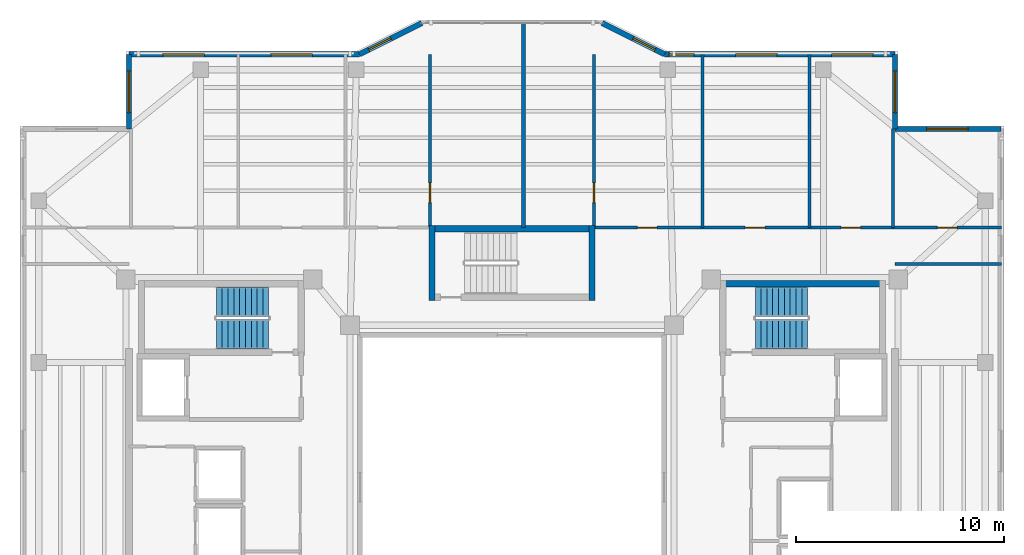
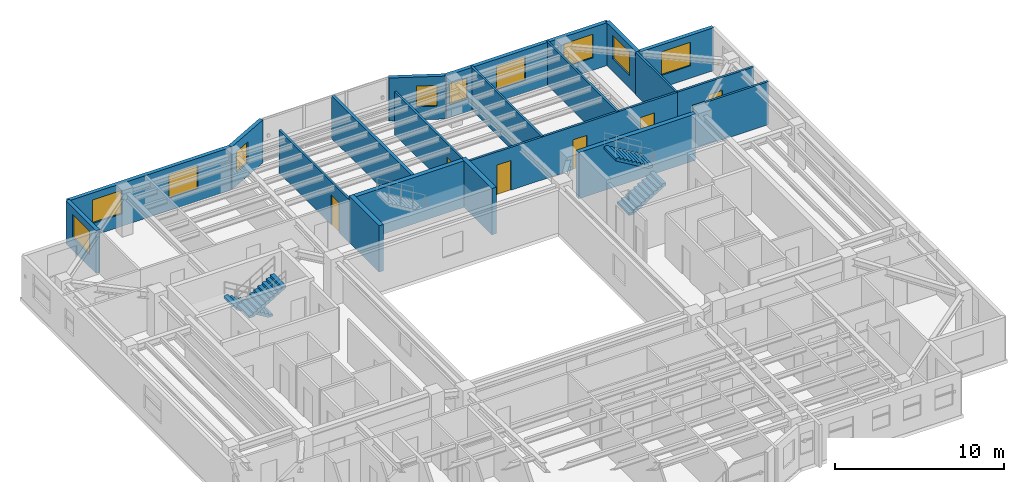
# One storey, part 10 of 14: 20 walls, 10 windows, 6 doors, 4 stair flights, 16 openings, 2 elements without a shape of their own.
"""IFC4 building model written with IfcOpenShell, lengths in metres."""

from ifc_helpers import new_model, si_unit, direction, frame, frame_2d, origin, place, context, subcontext, project, spatial, polyline, rectangle, outline, extrude, material, layer, layer_set, type_object, element, fill, aggregate, save


model = new_model("IFC4")

# Units and contexts
model_context = context("Model", 3, precision=1e-05, world=origin(), true_north=direction((0.0, 1.0)))
body_context = subcontext(model_context, "Body", "Model", "MODEL_VIEW")
ifc_project = project(units=[si_unit("LENGTHUNIT", "METRE"), si_unit("AREAUNIT", "SQUARE_METRE"), si_unit("VOLUMEUNIT", "CUBIC_METRE"), si_unit("PLANEANGLEUNIT", "RADIAN"), si_unit("MASSUNIT", "GRAM", prefix="KILO")], contexts=[model_context])

# Site, building, storey
site_placement = place(None, origin())
site = spatial("IfcSite", under=ifc_project, at=site_placement, CompositionType="ELEMENT")
building_placement = place(site_placement, origin())
building = spatial("IfcBuilding", under=site, at=building_placement, Name="Tarnavaz Court Tower", CompositionType="ELEMENT")
storey_placement = place(building_placement, frame((0.0, 0.0, 190.25)))
storey = spatial("IfcBuildingStorey", under=building, at=storey_placement, Name="L51", CompositionType="ELEMENT", Elevation=190.25)

# Walls
ifc_material_1 = material(Name="Concrete C50/60", Category="concrete")
ifc_layer_1 = layer(ifc_material_1, 0.300048828125)
ifc_layer_set_1 = layer_set([ifc_layer_1], Name="Concrete C50/60")
wall_type_1 = type_object("IfcWallType", Name="WL-CORE-300-C50", PredefinedType="SHEAR", material=ifc_layer_set_1)
for number, where, z_axis, x_axis, name in (
    (1, (10.0, 9.7900390625, 0.0), (0.0, 0.0, 1.0), (1.0, 0.0, 0.0), "L51 East Stair Core Wall 005"),
    (2, (-4.0, 12.43994140625, 0.0), (0.0, 0.0, 1.0), (1.0, 0.0, 0.0), "L51 North Stair Core Wall 009"),
):
    element("IfcWall", number, at=place(storey_placement, frame(where, z_axis=z_axis, x_axis=x_axis)), inside=storey, type_object=wall_type_1, Name=name, PredefinedType="SHEAR", context=body_context, shape_type="SweptSolid", body=[
        extrude(rectangle(XDim=8.0, YDim=0.300048828125, at=frame_2d((4.0, 0.0))), origin(), (0.0, 0.0, 1.0), 3.35009765625),
    ])
for number, where, z_axis, x_axis, name in (
    (3, (-3.85009765625, 9.0, 0.0), (0.0, 0.0, 1.0), (0.0, 1.0, 0.0), "L51 North Stair Core Wall 011"),
    (4, (3.85009765625, 9.0, 0.0), (0.0, 0.0, 1.0), (0.0, 1.0, 0.0), "L51 North Stair Core Wall 012"),
):
    element("IfcWall", number, at=place(storey_placement, frame(where, z_axis=z_axis, x_axis=x_axis)), inside=storey, type_object=wall_type_1, Name=name, PredefinedType="SHEAR", context=body_context, shape_type="SweptSolid", body=[
        extrude(rectangle(XDim=3.590087890625, YDim=0.300048828125, at=frame_2d((1.794921875, 0.0))), origin(), (0.0, 0.0, 1.0), 3.35009765625),
    ])

# Wall, opening, window
ifc_material_2 = material(Name="Precast Concrete C40/50", Category="concrete")
ifc_layer_2 = layer(ifc_material_2, 0.260009765625)
ifc_layer_set_2 = layer_set([ifc_layer_2], Name="Precast Concrete C40/50")
wall_type_2 = type_object("IfcWallType", Name="WL-EXT-260", PredefinedType="SOLIDWALL", material=ifc_layer_set_2)
wall_1_placement = place(storey_placement, frame((-18.449951171875, 17.25, 0.0), z_axis=(0.0, 0.0, 1.0), x_axis=(0.0, 1.0, 0.0)))
wall_1 = element("IfcWall", 5, at=wall_1_placement, inside=storey, type_object=wall_type_2, Name="L51 Exterior Terracotta Facade Wall 04", PredefinedType="SOLIDWALL", context=body_context, shape_type="SweptSolid", body=[
    extrude(rectangle(XDim=3.60009765625, YDim=0.260009765625, at=frame_2d((1.800048828125, 0.0))), origin(), (0.0, 0.0, 1.0), 3.10009765625),
])
opening_1_placement = place(wall_1_placement, frame((0.782470703125, 0.0, 0.89990234375)))
opening_1 = element("IfcOpeningElement", 6, at=opening_1_placement, cuts=wall_1, Name="Opening W08", PredefinedType="OPENING", context=body_context, shape_type="SweptSolid", body=[
    extrude(rectangle(XDim=2.0, YDim=1.699951171875, at=frame_2d((1.0, 0.85009765625))), frame((0.0, 0.139892578125, 0.0), z_axis=(0.0, -1.0, 0.0), x_axis=(1.0, 0.0, 0.0)), (0.0, 0.0, 1.0), 0.280029296875),
])
ifc_material_3 = material(Name="Double-Glazed Solar Low-E Glass", Category="glass")
window_type_1 = type_object("IfcWindowType", Name="WN-APT-2000", PartitioningType="DOUBLE_PANEL_VERTICAL", PredefinedType="WINDOW", material=ifc_material_3)
window_1_placement = place(opening_1_placement, origin())
window_1 = element("IfcWindow", 7, at=window_1_placement, inside=storey, type_object=window_type_1, Name="L51 Resident Fitness and Yoga Studio Window", OverallHeight=1.699951171875, OverallWidth=2.0, PartitioningType="SINGLE_PANEL", PredefinedType="WINDOW", context=body_context, shape_type="SweptSolid", body=[
    extrude(rectangle(XDim=2.0, YDim=1.699951171875, at=frame_2d((1.0, 0.85009765625))), frame((0.0, 0.030029296875, 0.0), z_axis=(0.0, -1.0, 0.0), x_axis=(1.0, 0.0, 0.0)), (0.0, 0.0, 1.0), 0.06005859375),
])
fill(opening_1, window_1)

# Wall, openings, windows
wall_2_placement = place(storey_placement, frame((-18.449951171875, 20.85009765625, 0.0), z_axis=(0.0, 0.0, 1.0), x_axis=(1.0, 0.0, 0.0)))
wall_2 = element("IfcWall", 8, at=wall_2_placement, inside=storey, type_object=wall_type_2, Name="L51 Exterior Terracotta Facade Wall 05", PredefinedType="SOLIDWALL", context=body_context, shape_type="SweptSolid", body=[
    extrude(rectangle(XDim=11.099853515625, YDim=0.260009765625, at=frame_2d((5.5498046875, 0.0))), origin(), (0.0, 0.0, 1.0), 3.10009765625),
])
opening_2_placement = place(wall_2_placement, frame((1.636962890625, 0.0, 0.89990234375)))
opening_2 = element("IfcOpeningElement", 9, at=opening_2_placement, cuts=wall_2, Name="Opening W08", PredefinedType="OPENING", context=body_context, shape_type="SweptSolid", body=[
    extrude(rectangle(XDim=2.0, YDim=1.699951171875, at=frame_2d((1.0, 0.85009765625))), frame((0.0, 0.139892578125, 0.0), z_axis=(0.0, -1.0, 0.0), x_axis=(1.0, 0.0, 0.0)), (0.0, 0.0, 1.0), 0.280029296875),
])
opening_3_placement = place(wall_2_placement, frame((6.835205078125, 0.0, 0.89990234375)))
opening_3 = element("IfcOpeningElement", 10, at=opening_3_placement, cuts=wall_2, Name="Opening W08", PredefinedType="OPENING", context=body_context, shape_type="SweptSolid", body=[
    extrude(rectangle(XDim=2.0, YDim=1.699951171875, at=frame_2d((1.0, 0.85009765625))), frame((0.0, 0.139892578125, 0.0), z_axis=(0.0, -1.0, 0.0), x_axis=(1.0, 0.0, 0.0)), (0.0, 0.0, 1.0), 0.280029296875),
])
window_2_placement = place(opening_2_placement, origin())
window_2 = element("IfcWindow", 11, at=window_2_placement, inside=storey, type_object=window_type_1, Name="L51 Resident Fitness and Yoga Studio Window", OverallHeight=1.699951171875, OverallWidth=2.0, PartitioningType="SINGLE_PANEL", PredefinedType="WINDOW", context=body_context, shape_type="SweptSolid", body=[
    extrude(rectangle(XDim=2.0, YDim=1.699951171875, at=frame_2d((1.0, 0.85009765625))), frame((0.0, 0.030029296875, 0.0), z_axis=(0.0, -1.0, 0.0), x_axis=(1.0, 0.0, 0.0)), (0.0, 0.0, 1.0), 0.06005859375),
])
fill(opening_2, window_2)
window_3_placement = place(opening_3_placement, origin())
window_3 = element("IfcWindow", 12, at=window_3_placement, inside=storey, type_object=window_type_1, Name="L51 Children Playroom and Daycare Window", OverallHeight=1.699951171875, OverallWidth=2.0, PartitioningType="SINGLE_PANEL", PredefinedType="WINDOW", context=body_context, shape_type="SweptSolid", body=[
    extrude(rectangle(XDim=2.0, YDim=1.699951171875, at=frame_2d((1.0, 0.85009765625))), frame((0.0, 0.030029296875, 0.0), z_axis=(0.0, -1.0, 0.0), x_axis=(1.0, 0.0, 0.0)), (0.0, 0.0, 1.0), 0.06005859375),
])
fill(opening_3, window_3)

# Wall, opening, window
wall_3_placement = place(storey_placement, frame((-7.35009765625, 20.85009765625, 0.0), z_axis=(0.0, 0.0, 1.0), x_axis=(0.894427191, 0.4472135955, 0.0)))
wall_3 = element("IfcWall", 13, at=wall_3_placement, inside=storey, type_object=wall_type_2, Name="L51 Exterior Terracotta Facade Wall 06", PredefinedType="SOLIDWALL", context=body_context, shape_type="SweptSolid", body=[
    extrude(rectangle(XDim=3.35400390625, YDim=0.260009765625, at=frame_2d((1.677001953125, 0.0))), origin(), (0.0, 0.0, 1.0), 3.10009765625),
])
opening_4_placement = place(wall_3_placement, frame((0.501220703125, 0.0, 0.949951171875)))
opening_4 = element("IfcOpeningElement", 14, at=opening_4_placement, cuts=wall_3, Name="Opening W05", PredefinedType="OPENING", context=body_context, shape_type="SweptSolid", body=[
    extrude(rectangle(XDim=1.199951171875, YDim=1.5, at=frame_2d((0.60009765625, 0.75))), frame((0.0, 0.139892578125, 0.0), z_axis=(0.0, -1.0, 0.0), x_axis=(1.0, 0.0, 0.0)), (0.0, 0.0, 1.0), 0.280029296875),
])
window_type_2 = type_object("IfcWindowType", Name="WN-APT-1200", PartitioningType="SINGLE_PANEL", PredefinedType="WINDOW", material=ifc_material_3)
window_4_placement = place(opening_4_placement, origin())
window_4 = element("IfcWindow", 15, at=window_4_placement, inside=storey, type_object=window_type_2, Name="L51 Shared Community Tea Pantry Window", OverallHeight=1.5, OverallWidth=1.199951171875, PartitioningType="SINGLE_PANEL", PredefinedType="WINDOW", context=body_context, shape_type="SweptSolid", body=[
    extrude(rectangle(XDim=1.199951171875, YDim=1.5, at=frame_2d((0.60009765625, 0.75))), frame((0.0, 0.030029296875, 0.0), z_axis=(0.0, -1.0, 0.0), x_axis=(1.0, 0.0, 0.0)), (0.0, 0.0, 1.0), 0.06005859375),
])
fill(opening_4, window_4)

wall_4_placement = place(storey_placement, frame((4.35009765625, 22.35009765625, 0.0), z_axis=(0.0, 0.0, 1.0), x_axis=(0.894427191, -0.4472135955, 0.0)))
wall_4 = element("IfcWall", 16, at=wall_4_placement, inside=storey, type_object=wall_type_2, Name="L51 Exterior Terracotta Facade Wall 08", PredefinedType="SOLIDWALL", context=body_context, shape_type="SweptSolid", body=[
    extrude(rectangle(XDim=3.35400390625, YDim=0.260009765625, at=frame_2d((1.677001953125, 0.0))), origin(), (0.0, 0.0, 1.0), 3.10009765625),
])
opening_5_placement = place(wall_4_placement, frame((1.65283203125, 0.0, 0.949951171875)))
opening_5 = element("IfcOpeningElement", 17, at=opening_5_placement, cuts=wall_4, Name="Opening W05", PredefinedType="OPENING", context=body_context, shape_type="SweptSolid", body=[
    extrude(rectangle(XDim=1.199951171875, YDim=1.5, at=frame_2d((0.60009765625, 0.75))), frame((0.0, 0.139892578125, 0.0), z_axis=(0.0, -1.0, 0.0), x_axis=(1.0, 0.0, 0.0)), (0.0, 0.0, 1.0), 0.280029296875),
])
window_5_placement = place(opening_5_placement, origin())
window_5 = element("IfcWindow", 18, at=window_5_placement, inside=storey, type_object=window_type_2, Name="L51 Resident Co-Working Study Room Window", OverallHeight=1.5, OverallWidth=1.199951171875, PartitioningType="SINGLE_PANEL", PredefinedType="WINDOW", context=body_context, shape_type="SweptSolid", body=[
    extrude(rectangle(XDim=1.199951171875, YDim=1.5, at=frame_2d((0.60009765625, 0.75))), frame((0.0, 0.030029296875, 0.0), z_axis=(0.0, -1.0, 0.0), x_axis=(1.0, 0.0, 0.0)), (0.0, 0.0, 1.0), 0.06005859375),
])
fill(opening_5, window_5)

# Wall, openings, windows
wall_5_placement = place(storey_placement, frame((7.35009765625, 20.85009765625, 0.0), z_axis=(0.0, 0.0, 1.0), x_axis=(1.0, 0.0, 0.0)))
wall_5 = element("IfcWall", 19, at=wall_5_placement, inside=storey, type_object=wall_type_2, Name="L51 Exterior Terracotta Facade Wall 09", PredefinedType="SOLIDWALL", context=body_context, shape_type="SweptSolid", body=[
    extrude(rectangle(XDim=11.099853515625, YDim=0.260009765625, at=frame_2d((5.5498046875, 0.0))), origin(), (0.0, 0.0, 1.0), 3.10009765625),
])
opening_6_placement = place(wall_5_placement, frame((0.223388671875, 0.0, 0.949951171875)))
opening_6 = element("IfcOpeningElement", 20, at=opening_6_placement, cuts=wall_5, Name="Opening W05", PredefinedType="OPENING", context=body_context, shape_type="SweptSolid", body=[
    extrude(rectangle(XDim=1.199951171875, YDim=1.5, at=frame_2d((0.60009765625, 0.75))), frame((0.0, 0.139892578125, 0.0), z_axis=(0.0, -1.0, 0.0), x_axis=(1.0, 0.0, 0.0)), (0.0, 0.0, 1.0), 0.280029296875),
])
opening_7_placement = place(wall_5_placement, frame((3.419921875, 0.0, 0.89990234375)))
opening_7 = element("IfcOpeningElement", 21, at=opening_7_placement, cuts=wall_5, Name="Opening W08", PredefinedType="OPENING", context=body_context, shape_type="SweptSolid", body=[
    extrude(rectangle(XDim=2.0, YDim=1.699951171875, at=frame_2d((1.0, 0.85009765625))), frame((0.0, 0.139892578125, 0.0), z_axis=(0.0, -1.0, 0.0), x_axis=(1.0, 0.0, 0.0)), (0.0, 0.0, 1.0), 0.280029296875),
])
opening_8_placement = place(wall_5_placement, frame((8.040771484375, 0.0, 0.89990234375)))
opening_8 = element("IfcOpeningElement", 22, at=opening_8_placement, cuts=wall_5, Name="Opening W08", PredefinedType="OPENING", context=body_context, shape_type="SweptSolid", body=[
    extrude(rectangle(XDim=2.0, YDim=1.699951171875, at=frame_2d((1.0, 0.85009765625))), frame((0.0, 0.139892578125, 0.0), z_axis=(0.0, -1.0, 0.0), x_axis=(1.0, 0.0, 0.0)), (0.0, 0.0, 1.0), 0.280029296875),
])
window_6_placement = place(opening_6_placement, origin())
window_6 = element("IfcWindow", 23, at=window_6_placement, inside=storey, type_object=window_type_2, Name="L51 Resident Co-Working Study Room Window", OverallHeight=1.5, OverallWidth=1.199951171875, PartitioningType="SINGLE_PANEL", PredefinedType="WINDOW", context=body_context, shape_type="SweptSolid", body=[
    extrude(rectangle(XDim=1.199951171875, YDim=1.5, at=frame_2d((0.60009765625, 0.75))), frame((0.0, 0.030029296875, 0.0), z_axis=(0.0, -1.0, 0.0), x_axis=(1.0, 0.0, 0.0)), (0.0, 0.0, 1.0), 0.06005859375),
])
fill(opening_6, window_6)
window_7_placement = place(opening_7_placement, origin())
window_7 = element("IfcWindow", 24, at=window_7_placement, inside=storey, type_object=window_type_1, Name="L51 Quiet Reading Library Room Window", OverallHeight=1.699951171875, OverallWidth=2.0, PartitioningType="SINGLE_PANEL", PredefinedType="WINDOW", context=body_context, shape_type="SweptSolid", body=[
    extrude(rectangle(XDim=2.0, YDim=1.699951171875, at=frame_2d((1.0, 0.85009765625))), frame((0.0, 0.030029296875, 0.0), z_axis=(0.0, -1.0, 0.0), x_axis=(1.0, 0.0, 0.0)), (0.0, 0.0, 1.0), 0.06005859375),
])
fill(opening_7, window_7)
window_8_placement = place(opening_8_placement, origin())
window_8 = element("IfcWindow", 25, at=window_8_placement, inside=storey, type_object=window_type_1, Name="L51 Resident Focus Seminar Room Window", OverallHeight=1.699951171875, OverallWidth=2.0, PartitioningType="SINGLE_PANEL", PredefinedType="WINDOW", context=body_context, shape_type="SweptSolid", body=[
    extrude(rectangle(XDim=2.0, YDim=1.699951171875, at=frame_2d((1.0, 0.85009765625))), frame((0.0, 0.030029296875, 0.0), z_axis=(0.0, -1.0, 0.0), x_axis=(1.0, 0.0, 0.0)), (0.0, 0.0, 1.0), 0.06005859375),
])
fill(opening_8, window_8)

# Wall, opening, window
wall_6_placement = place(storey_placement, frame((18.449951171875, 20.85009765625, 0.0), z_axis=(0.0, 0.0, 1.0), x_axis=(0.0, -1.0, 0.0)))
wall_6 = element("IfcWall", 26, at=wall_6_placement, inside=storey, type_object=wall_type_2, Name="L51 Exterior Terracotta Facade Wall 10", PredefinedType="SOLIDWALL", context=body_context, shape_type="SweptSolid", body=[
    extrude(rectangle(XDim=3.60009765625, YDim=0.260009765625, at=frame_2d((1.800048828125, 0.0))), origin(), (0.0, 0.0, 1.0), 3.10009765625),
])
opening_9_placement = place(wall_6_placement, frame((0.8173828125, 0.0, 0.89990234375)))
opening_9 = element("IfcOpeningElement", 27, at=opening_9_placement, cuts=wall_6, Name="Opening W08", PredefinedType="OPENING", context=body_context, shape_type="SweptSolid", body=[
    extrude(rectangle(XDim=2.0, YDim=1.699951171875, at=frame_2d((1.0, 0.85009765625))), frame((0.0, 0.139892578125, 0.0), z_axis=(0.0, -1.0, 0.0), x_axis=(1.0, 0.0, 0.0)), (0.0, 0.0, 1.0), 0.280029296875),
])
window_9_placement = place(opening_9_placement, origin())
window_9 = element("IfcWindow", 28, at=window_9_placement, inside=storey, type_object=window_type_1, Name="L51 Resident Focus Seminar Room Window", OverallHeight=1.699951171875, OverallWidth=2.0, PartitioningType="SINGLE_PANEL", PredefinedType="WINDOW", context=body_context, shape_type="SweptSolid", body=[
    extrude(rectangle(XDim=2.0, YDim=1.699951171875, at=frame_2d((1.0, 0.85009765625))), frame((0.0, 0.030029296875, 0.0), z_axis=(0.0, -1.0, 0.0), x_axis=(1.0, 0.0, 0.0)), (0.0, 0.0, 1.0), 0.06005859375),
])
fill(opening_9, window_9)

wall_7_placement = place(storey_placement, frame((18.449951171875, 17.25, 0.0), z_axis=(0.0, 0.0, 1.0), x_axis=(1.0, 0.0, 0.0)))
wall_7 = element("IfcWall", 29, at=wall_7_placement, inside=storey, type_object=wall_type_2, Name="L51 Exterior Terracotta Facade Wall 11", PredefinedType="SOLIDWALL", context=body_context, shape_type="SweptSolid", body=[
    extrude(rectangle(XDim=5.10009765625, YDim=0.260009765625, at=frame_2d((2.550048828125, 0.0))), origin(), (0.0, 0.0, 1.0), 3.10009765625),
])
opening_10_placement = place(wall_7_placement, frame((1.52490234375, 0.0, 0.89990234375)))
opening_10 = element("IfcOpeningElement", 30, at=opening_10_placement, cuts=wall_7, Name="Opening W08", PredefinedType="OPENING", context=body_context, shape_type="SweptSolid", body=[
    extrude(rectangle(XDim=2.0, YDim=1.699951171875, at=frame_2d((1.0, 0.85009765625))), frame((0.0, 0.139892578125, 0.0), z_axis=(0.0, -1.0, 0.0), x_axis=(1.0, 0.0, 0.0)), (0.0, 0.0, 1.0), 0.280029296875),
])
window_10_placement = place(opening_10_placement, origin())
window_10 = element("IfcWindow", 31, at=window_10_placement, inside=storey, type_object=window_type_1, Name="L51 North-East Corner Sunroom Study Window", OverallHeight=1.699951171875, OverallWidth=2.0, PartitioningType="SINGLE_PANEL", PredefinedType="WINDOW", context=body_context, shape_type="SweptSolid", body=[
    extrude(rectangle(XDim=2.0, YDim=1.699951171875, at=frame_2d((1.0, 0.85009765625))), frame((0.0, 0.030029296875, 0.0), z_axis=(0.0, -1.0, 0.0), x_axis=(1.0, 0.0, 0.0)), (0.0, 0.0, 1.0), 0.06005859375),
])
fill(opening_10, window_10)

# Wall, openings, doors
ifc_material_4 = material(Name="Gypsum Fire-Board on Acoustic Metal Stud", Category="masonry")
ifc_layer_3 = layer(ifc_material_4, 0.14990234375)
ifc_layer_set_3 = layer_set([ifc_layer_3], Name="Gypsum Fire-Board on Acoustic Metal Stud")
wall_type_3 = type_object("IfcWallType", Name="WL-FIRE-150", PredefinedType="PARTITIONING", material=ifc_layer_set_3)
wall_8_placement = place(storey_placement, frame((3.85009765625, 12.5, 0.0), z_axis=(0.0, 0.0, 1.0), x_axis=(1.0, 0.0, 0.0)))
wall_8 = element("IfcWall", 32, at=wall_8_placement, inside=storey, type_object=wall_type_3, Name="L51 NE Wing Corridor Wall 061", PredefinedType="PARTITIONING", context=body_context, shape_type="SweptSolid", body=[
    extrude(rectangle(XDim=14.5, YDim=0.14990234375, at=frame_2d((7.25, 0.0))), origin(), (0.0, 0.0, 1.0), 3.10009765625),
])
opening_11_placement = place(wall_8_placement, frame((2.18603515625, 0.0, 0.0)))
opening_11 = element("IfcOpeningElement", 33, at=opening_11_placement, cuts=wall_8, Name="Opening D13", PredefinedType="OPENING", context=body_context, shape_type="SweptSolid", body=[
    extrude(rectangle(XDim=0.949951171875, YDim=2.14990234375, at=frame_2d((0.47509765625, 1.074951171875))), frame((0.0, 0.0849609375, 0.0), z_axis=(0.0, -1.0, 0.0), x_axis=(1.0, 0.0, 0.0)), (0.0, 0.0, 1.0), 0.169921875),
])
opening_12_placement = place(wall_8_placement, frame((7.37890625, 0.0, 0.0)))
opening_12 = element("IfcOpeningElement", 34, at=opening_12_placement, cuts=wall_8, Name="Opening D13", PredefinedType="OPENING", context=body_context, shape_type="SweptSolid", body=[
    extrude(rectangle(XDim=0.949951171875, YDim=2.14990234375, at=frame_2d((0.47509765625, 1.074951171875))), frame((0.0, 0.0849609375, 0.0), z_axis=(0.0, -1.0, 0.0), x_axis=(1.0, 0.0, 0.0)), (0.0, 0.0, 1.0), 0.169921875),
])
opening_13_placement = place(wall_8_placement, frame((11.998046875, 0.0, 0.0)))
opening_13 = element("IfcOpeningElement", 35, at=opening_13_placement, cuts=wall_8, Name="Opening D13", PredefinedType="OPENING", context=body_context, shape_type="SweptSolid", body=[
    extrude(rectangle(XDim=0.949951171875, YDim=2.14990234375, at=frame_2d((0.47509765625, 1.074951171875))), frame((0.0, 0.0849609375, 0.0), z_axis=(0.0, -1.0, 0.0), x_axis=(1.0, 0.0, 0.0)), (0.0, 0.0, 1.0), 0.169921875),
])
ifc_material_5 = material(Name="Engineered Oak Timber", Category="wood")
door_type = type_object("IfcDoorType", Name="DR-INT-950", OperationType="NOTDEFINED", PredefinedType="DOOR", material=ifc_material_5)
door_1_placement = place(opening_11_placement, origin())
door_1 = element("IfcDoor", 36, at=door_1_placement, inside=storey, type_object=door_type, Name="L51 Resident Co-Working Study Room Door", OperationType="SINGLE_SWING_RIGHT", OverallHeight=2.14990234375, OverallWidth=0.949951171875, PredefinedType="DOOR", context=body_context, shape_type="SweptSolid", body=[
    extrude(rectangle(XDim=0.949951171875, YDim=2.14990234375, at=frame_2d((0.47509765625, 1.074951171875))), frame((0.0, 0.02490234375, 0.0), z_axis=(0.0, -1.0, 0.0), x_axis=(1.0, 0.0, 0.0)), (0.0, 0.0, 1.0), 0.050048828125),
])
fill(opening_11, door_1)
door_2_placement = place(opening_12_placement, origin())
door_2 = element("IfcDoor", 37, at=door_2_placement, inside=storey, type_object=door_type, Name="L51 Quiet Reading Library Room Door", OperationType="SINGLE_SWING_LEFT", OverallHeight=2.14990234375, OverallWidth=0.949951171875, PredefinedType="DOOR", context=body_context, shape_type="SweptSolid", body=[
    extrude(rectangle(XDim=0.949951171875, YDim=2.14990234375, at=frame_2d((0.47509765625, 1.074951171875))), frame((0.0, 0.02490234375, 0.0), z_axis=(0.0, -1.0, 0.0), x_axis=(1.0, 0.0, 0.0)), (0.0, 0.0, 1.0), 0.050048828125),
])
fill(opening_12, door_2)
door_3_placement = place(opening_13_placement, origin())
door_3 = element("IfcDoor", 38, at=door_3_placement, inside=storey, type_object=door_type, Name="L51 Resident Focus Seminar Room Door", OperationType="SINGLE_SWING_RIGHT", OverallHeight=2.14990234375, OverallWidth=0.949951171875, PredefinedType="DOOR", context=body_context, shape_type="SweptSolid", body=[
    extrude(rectangle(XDim=0.949951171875, YDim=2.14990234375, at=frame_2d((0.47509765625, 1.074951171875))), frame((0.0, 0.02490234375, 0.0), z_axis=(0.0, -1.0, 0.0), x_axis=(1.0, 0.0, 0.0)), (0.0, 0.0, 1.0), 0.050048828125),
])
fill(opening_13, door_3)

# Wall
wall_9_placement = place(storey_placement, frame((18.449951171875, 10.75, 0.0), z_axis=(0.0, 0.0, 1.0), x_axis=(1.0, 0.0, 0.0)))
element("IfcWall", 39, at=wall_9_placement, inside=storey, type_object=wall_type_3, Name="L51 Interior Partition 098", PredefinedType="PARTITIONING", context=body_context, shape_type="SweptSolid", body=[
    extrude(rectangle(XDim=5.130126953125, YDim=0.14990234375, at=frame_2d((2.56494140625, 0.0))), origin(), (0.0, 0.0, 1.0), 3.10009765625),
])

# Wall, opening, door
wall_10_placement = place(storey_placement, frame((18.35009765625, 12.5, 0.0), z_axis=(0.0, 0.0, 1.0), x_axis=(1.0, 0.0, 0.0)))
wall_10 = element("IfcWall", 40, at=wall_10_placement, inside=storey, type_object=wall_type_3, Name="L51 Interior Partition 104", PredefinedType="PARTITIONING", context=body_context, shape_type="SweptSolid", body=[
    extrude(rectangle(XDim=5.22998046875, YDim=0.14990234375, at=frame_2d((2.614990234375, 0.0))), origin(), (0.0, 0.0, 1.0), 3.10009765625),
])
opening_14_placement = place(wall_10_placement, frame((2.139892578125, 0.0, 0.0)))
opening_14 = element("IfcOpeningElement", 41, at=opening_14_placement, cuts=wall_10, Name="Opening D13", PredefinedType="OPENING", context=body_context, shape_type="SweptSolid", body=[
    extrude(rectangle(XDim=0.949951171875, YDim=2.14990234375, at=frame_2d((0.47509765625, 1.074951171875))), frame((0.0, 0.0849609375, 0.0), z_axis=(0.0, -1.0, 0.0), x_axis=(1.0, 0.0, 0.0)), (0.0, 0.0, 1.0), 0.169921875),
])
door_4_placement = place(opening_14_placement, origin())
door_4 = element("IfcDoor", 42, at=door_4_placement, inside=storey, type_object=door_type, Name="L51 NE Sunroom Door", OperationType="SINGLE_SWING_LEFT", OverallHeight=2.14990234375, OverallWidth=0.949951171875, PredefinedType="DOOR", context=body_context, shape_type="SweptSolid", body=[
    extrude(rectangle(XDim=0.949951171875, YDim=2.14990234375, at=frame_2d((0.47509765625, 1.074951171875))), frame((0.0, 0.02490234375, 0.0), z_axis=(0.0, -1.0, 0.0), x_axis=(1.0, 0.0, 0.0)), (0.0, 0.0, 1.0), 0.050048828125),
])
fill(opening_14, door_4)

# Wall
ifc_material_6 = material(Name="Autoclaved Aerated Concrete Blockwork", Category="masonry")
ifc_layer_4 = layer(ifc_material_6, 0.199951171875)
ifc_layer_set_4 = layer_set([ifc_layer_4], Name="Autoclaved Aerated Concrete Blockwork")
wall_type_4 = type_object("IfcWallType", Name="WL-FIRE-200", PredefinedType="SOLIDWALL", material=ifc_layer_set_4)
wall_11_placement = place(storey_placement, frame((0.550048828125, 12.5, 0.0), z_axis=(0.0, 0.0, 1.0), x_axis=(0.0, 1.0, 0.0)))
element("IfcWall", 43, at=wall_11_placement, inside=storey, type_object=wall_type_4, Name="L51 North Center Party Wall 064", PredefinedType="SOLIDWALL", context=body_context, shape_type="SweptSolid", body=[
    extrude(rectangle(XDim=9.8798828125, YDim=0.199951171875, at=frame_2d((4.93994140625, 0.0))), origin(), (0.0, 0.0, 1.0), 3.10009765625),
])

# Wall, opening, door
ifc_material_7 = material(Name="Gypsum Plasterboard Acoustic Partition", Category="masonry")
ifc_layer_5 = layer(ifc_material_7, 0.139892578125)
ifc_layer_set_5 = layer_set([ifc_layer_5], Name="Gypsum Plasterboard Acoustic Partition")
wall_type_5 = type_object("IfcWallType", Name="WL-PART-150", PredefinedType="PARTITIONING", material=ifc_layer_set_5)
wall_12_placement = place(storey_placement, frame((-3.949951171875, 12.5, 0.0), z_axis=(0.0, 0.0, 1.0), x_axis=(0.0, 1.0, 0.0)))
wall_12 = element("IfcWall", 44, at=wall_12_placement, inside=storey, type_object=wall_type_5, Name="L51 Interior Partition 065", PredefinedType="PARTITIONING", context=body_context, shape_type="SweptSolid", body=[
    extrude(rectangle(XDim=8.35009765625, YDim=0.139892578125, at=frame_2d((4.175048828125, 0.0))), origin(), (0.0, 0.0, 1.0), 3.10009765625),
])
opening_15_placement = place(wall_12_placement, frame((1.199951171875, 0.0, 0.0)))
opening_15 = element("IfcOpeningElement", 45, at=opening_15_placement, cuts=wall_12, Name="Opening D13", PredefinedType="OPENING", context=body_context, shape_type="SweptSolid", body=[
    extrude(rectangle(XDim=0.949951171875, YDim=2.14990234375, at=frame_2d((0.47509765625, 1.074951171875))), frame((0.0, 0.079833984375, 0.0), z_axis=(0.0, -1.0, 0.0), x_axis=(1.0, 0.0, 0.0)), (0.0, 0.0, 1.0), 0.159912109375),
])
door_5_placement = place(opening_15_placement, origin())
door_5 = element("IfcDoor", 46, at=door_5_placement, inside=storey, type_object=door_type, Name="L51 NW Iwan Study Door", OperationType="SINGLE_SWING_LEFT", OverallHeight=2.14990234375, OverallWidth=0.949951171875, PredefinedType="DOOR", context=body_context, shape_type="SweptSolid", body=[
    extrude(rectangle(XDim=0.949951171875, YDim=2.14990234375, at=frame_2d((0.47509765625, 1.074951171875))), frame((0.0, 0.02490234375, 0.0), z_axis=(0.0, -1.0, 0.0), x_axis=(1.0, 0.0, 0.0)), (0.0, 0.0, 1.0), 0.050048828125),
])
fill(opening_15, door_5)

wall_13_placement = place(storey_placement, frame((3.949951171875, 12.5, 0.0), z_axis=(0.0, 0.0, 1.0), x_axis=(0.0, 1.0, 0.0)))
wall_13 = element("IfcWall", 47, at=wall_13_placement, inside=storey, type_object=wall_type_5, Name="L51 Interior Partition 068", PredefinedType="PARTITIONING", context=body_context, shape_type="SweptSolid", body=[
    extrude(rectangle(XDim=8.35009765625, YDim=0.139892578125, at=frame_2d((4.175048828125, 0.0))), origin(), (0.0, 0.0, 1.0), 3.10009765625),
])
opening_16_placement = place(wall_13_placement, frame((1.199951171875, 0.0, 0.0)))
opening_16 = element("IfcOpeningElement", 48, at=opening_16_placement, cuts=wall_13, Name="Opening D13", PredefinedType="OPENING", context=body_context, shape_type="SweptSolid", body=[
    extrude(rectangle(XDim=0.949951171875, YDim=2.14990234375, at=frame_2d((0.47509765625, 1.074951171875))), frame((0.0, 0.079833984375, 0.0), z_axis=(0.0, -1.0, 0.0), x_axis=(1.0, 0.0, 0.0)), (0.0, 0.0, 1.0), 0.159912109375),
])
door_6_placement = place(opening_16_placement, origin())
door_6 = element("IfcDoor", 49, at=door_6_placement, inside=storey, type_object=door_type, Name="L51 NE Iwan Reading Door", OperationType="SINGLE_SWING_LEFT", OverallHeight=2.14990234375, OverallWidth=0.949951171875, PredefinedType="DOOR", context=body_context, shape_type="SweptSolid", body=[
    extrude(rectangle(XDim=0.949951171875, YDim=2.14990234375, at=frame_2d((0.47509765625, 1.074951171875))), frame((0.0, 0.02490234375, 0.0), z_axis=(0.0, -1.0, 0.0), x_axis=(1.0, 0.0, 0.0)), (0.0, 0.0, 1.0), 0.050048828125),
])
fill(opening_16, door_6)

# Walls
for number, where, z_axis, x_axis, name in (
    (50, (9.172119140625, 12.5, 0.0), (0.0, 0.0, 1.0), (0.0, 1.0, 0.0), "L51 Interior Partition 069"),
    (51, (14.3349609375, 12.5, 0.0), (0.0, 0.0, 1.0), (0.0, 1.0, 0.0), "L51 Interior Partition 070"),
):
    element("IfcWall", number, at=place(storey_placement, frame(where, z_axis=z_axis, x_axis=x_axis)), inside=storey, type_object=wall_type_5, Name=name, PredefinedType="PARTITIONING", context=body_context, shape_type="SweptSolid", body=[
        extrude(rectangle(XDim=8.35009765625, YDim=0.139892578125, at=frame_2d((4.175048828125, 0.0))), origin(), (0.0, 0.0, 1.0), 3.10009765625),
    ])
wall_14_placement = place(storey_placement, frame((18.35009765625, 12.5, 0.0), z_axis=(0.0, 0.0, 1.0), x_axis=(0.0, 1.0, 0.0)))
element("IfcWall", 52, at=wall_14_placement, inside=storey, type_object=wall_type_5, Name="L51 Interior Partition 102", PredefinedType="PARTITIONING", context=body_context, shape_type="SweptSolid", body=[
    extrude(rectangle(XDim=4.75, YDim=0.139892578125, at=frame_2d((2.375, 0.0))), origin(), (0.0, 0.0, 1.0), 3.10009765625),
])

# Stair, stair flights
ifc_material_8 = material(Name="Concrete C40/50", Category="concrete")
stair_type = type_object("IfcStairType", Name="ST-TWR-20R", PredefinedType="HALF_TURN_STAIR", material=ifc_material_8)
stair_1_placement = place(storey_placement, origin())
stair_1 = element("IfcStair", 53, at=stair_1_placement, inside=storey, type_object=stair_type, Name="L51 West Core Pressurized Exit Stair ST-W1", PredefinedType="HALF_TURN_STAIR")
stair_flight_type = type_object("IfcStairFlightType", Name="SFL-RC-20R", PredefinedType="STRAIGHT", material=ifc_material_8)
stair_flight_1_placement = place(storey_placement, frame((-11.719970703125, 8.929931640625, 0.0), z_axis=(0.0, 0.0, 1.0), x_axis=(-1.0, 0.0, 0.0)))
stair_flight_1 = element("IfcStairFlight", 54, at=stair_flight_1_placement, type_object=stair_flight_type, Name="ST-W1 flight 1", NumberOfRisers=10, NumberOfTreads=9, PredefinedType="STRAIGHT", RiserHeight=0.1675, TreadLength=0.28, context=body_context, shape_type="SweptSolid", body=[
    extrude(outline(polyline([(0.0, 0.0), (0.0, 0.16748046875), (0.280029296875, 0.16748046875), (0.280029296875, 0.3349609375), (0.56005859375, 0.3349609375), (0.56005859375, 0.50244140625), (0.840087890625, 0.50244140625), (0.840087890625, 0.669921875), (1.1201171875, 0.669921875), (1.1201171875, 0.83740234375), (1.39990234375, 0.83740234375), (1.39990234375, 1.0048828125), (1.679931640625, 1.0048828125), (1.679931640625, 1.172607421875), (1.9599609375, 1.172607421875), (1.9599609375, 1.340087890625), (2.239990234375, 1.340087890625), (2.239990234375, 1.507568359375), (2.52001953125, 1.507568359375), (2.52001953125, 1.675048828125), (2.52001953125, 1.332763671875), (0.2919921875, 0.0), (0.0, 0.0)])), frame((0.0, 0.7099609375, 0.0), z_axis=(0.0, -1.0, 0.0), x_axis=(1.0, 0.0, 0.0)), (0.0, 0.0, 1.0), 1.419921875),
])
stair_flight_2_placement = place(storey_placement, frame((-14.239990234375, 7.360107421875, 1.675048828125), z_axis=(0.0, 0.0, 1.0), x_axis=(1.0, 0.0, 0.0)))
stair_flight_2 = element("IfcStairFlight", 55, at=stair_flight_2_placement, type_object=stair_flight_type, Name="ST-W1 flight 2", NumberOfRisers=10, NumberOfTreads=9, PredefinedType="STRAIGHT", RiserHeight=0.1675, TreadLength=0.28, context=body_context, shape_type="SweptSolid", body=[
    extrude(outline(polyline([(0.0, 0.0), (0.0, 0.16748046875), (0.280029296875, 0.16748046875), (0.280029296875, 0.3349609375), (0.56005859375, 0.3349609375), (0.56005859375, 0.50244140625), (0.840087890625, 0.50244140625), (0.840087890625, 0.669921875), (1.1201171875, 0.669921875), (1.1201171875, 0.83740234375), (1.39990234375, 0.83740234375), (1.39990234375, 1.0048828125), (1.679931640625, 1.0048828125), (1.679931640625, 1.172607421875), (1.9599609375, 1.172607421875), (1.9599609375, 1.340087890625), (2.239990234375, 1.340087890625), (2.239990234375, 1.507568359375), (2.52001953125, 1.507568359375), (2.52001953125, 1.675048828125), (2.52001953125, 1.332763671875), (0.2919921875, 0.0), (0.0, 0.0)])), frame((0.0, 0.7099609375, 0.0), z_axis=(0.0, -1.0, 0.0), x_axis=(1.0, 0.0, 0.0)), (0.0, 0.0, 1.0), 1.419921875),
])
aggregate(stair_1, [stair_flight_1, stair_flight_2])

stair_2_placement = place(storey_placement, origin())
stair_2 = element("IfcStair", 56, at=stair_2_placement, inside=storey, type_object=stair_type, Name="L51 East Core Pressurized Exit Stair ST-E1", PredefinedType="HALF_TURN_STAIR")
stair_flight_3_placement = place(storey_placement, frame((11.719970703125, 7.360107421875, 0.0), z_axis=(0.0, 0.0, 1.0), x_axis=(1.0, 0.0, 0.0)))
stair_flight_3 = element("IfcStairFlight", 57, at=stair_flight_3_placement, type_object=stair_flight_type, Name="ST-E1 flight 1", NumberOfRisers=10, NumberOfTreads=9, PredefinedType="STRAIGHT", RiserHeight=0.1675, TreadLength=0.28, context=body_context, shape_type="SweptSolid", body=[
    extrude(outline(polyline([(0.0, 0.0), (0.0, 0.16748046875), (0.280029296875, 0.16748046875), (0.280029296875, 0.3349609375), (0.56005859375, 0.3349609375), (0.56005859375, 0.50244140625), (0.840087890625, 0.50244140625), (0.840087890625, 0.669921875), (1.1201171875, 0.669921875), (1.1201171875, 0.83740234375), (1.39990234375, 0.83740234375), (1.39990234375, 1.0048828125), (1.679931640625, 1.0048828125), (1.679931640625, 1.172607421875), (1.9599609375, 1.172607421875), (1.9599609375, 1.340087890625), (2.239990234375, 1.340087890625), (2.239990234375, 1.507568359375), (2.52001953125, 1.507568359375), (2.52001953125, 1.675048828125), (2.52001953125, 1.332763671875), (0.2919921875, 0.0), (0.0, 0.0)])), frame((0.0, 0.7099609375, 0.0), z_axis=(0.0, -1.0, 0.0), x_axis=(1.0, 0.0, 0.0)), (0.0, 0.0, 1.0), 1.419921875),
])
stair_flight_4_placement = place(storey_placement, frame((14.239990234375, 8.929931640625, 1.675048828125), z_axis=(0.0, 0.0, 1.0), x_axis=(-1.0, 0.0, 0.0)))
stair_flight_4 = element("IfcStairFlight", 58, at=stair_flight_4_placement, type_object=stair_flight_type, Name="ST-E1 flight 2", NumberOfRisers=10, NumberOfTreads=9, PredefinedType="STRAIGHT", RiserHeight=0.1675, TreadLength=0.28, context=body_context, shape_type="SweptSolid", body=[
    extrude(outline(polyline([(0.0, 0.0), (0.0, 0.16748046875), (0.280029296875, 0.16748046875), (0.280029296875, 0.3349609375), (0.56005859375, 0.3349609375), (0.56005859375, 0.50244140625), (0.840087890625, 0.50244140625), (0.840087890625, 0.669921875), (1.1201171875, 0.669921875), (1.1201171875, 0.83740234375), (1.39990234375, 0.83740234375), (1.39990234375, 1.0048828125), (1.679931640625, 1.0048828125), (1.679931640625, 1.172607421875), (1.9599609375, 1.172607421875), (1.9599609375, 1.340087890625), (2.239990234375, 1.340087890625), (2.239990234375, 1.507568359375), (2.52001953125, 1.507568359375), (2.52001953125, 1.675048828125), (2.52001953125, 1.332763671875), (0.2919921875, 0.0), (0.0, 0.0)])), frame((0.0, 0.7099609375, 0.0), z_axis=(0.0, -1.0, 0.0), x_axis=(1.0, 0.0, 0.0)), (0.0, 0.0, 1.0), 1.419921875),
])
aggregate(stair_2, [stair_flight_3, stair_flight_4])

save(model, "model.ifc")
